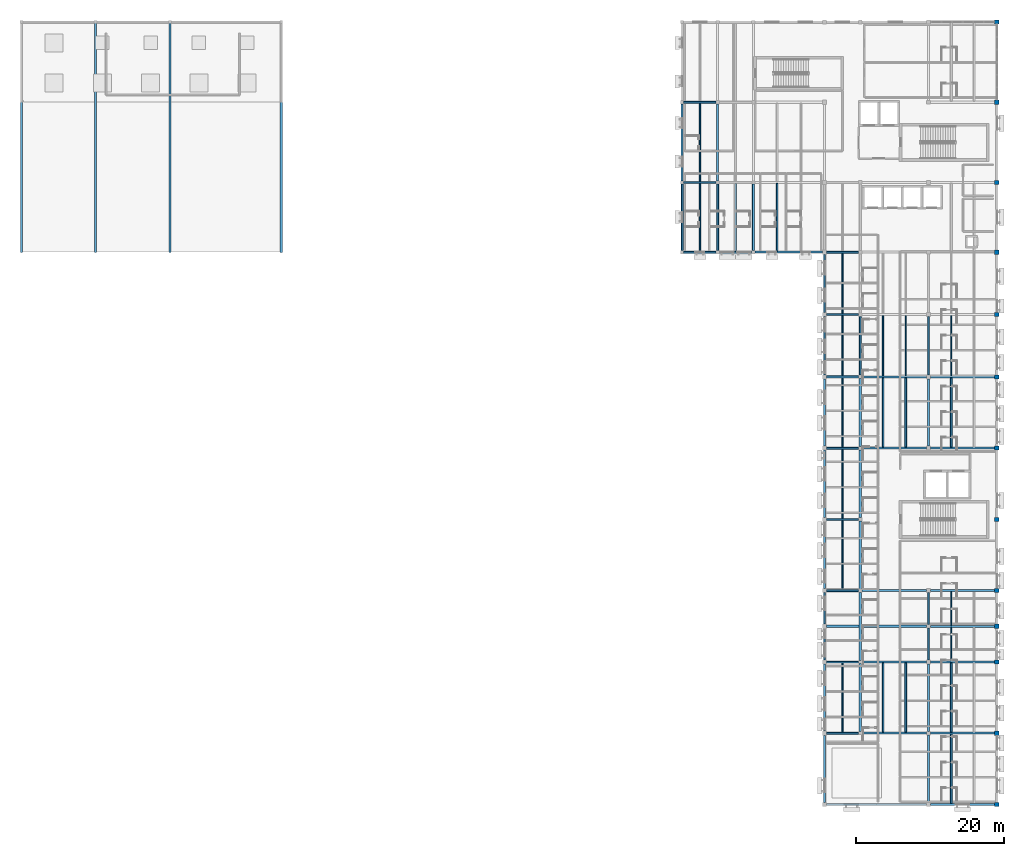
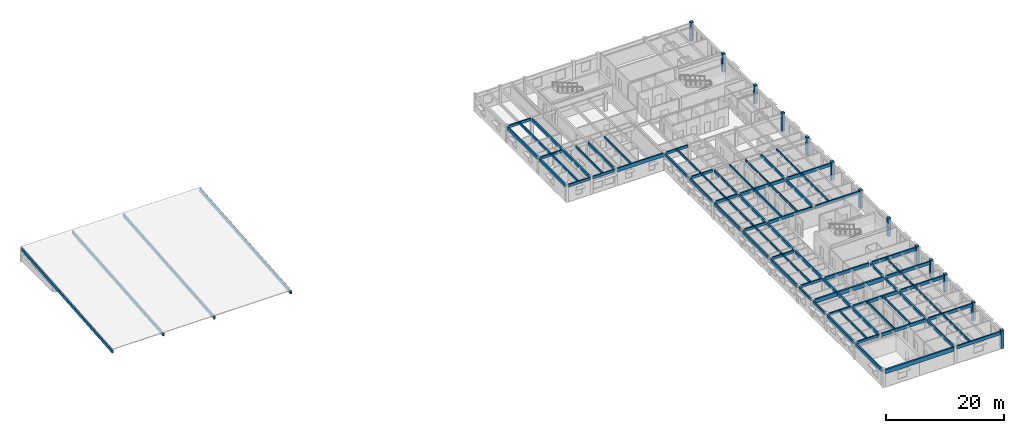
# One storey, part 3 of 31: 75 beams, 13 columns, 4 members, 1 element without a shape of its own.
"""IFC4 building model written with IfcOpenShell, lengths in metres."""

from ifc_helpers import new_model, si_unit, direction, frame, origin, origin_2d, place, context, subcontext, project, spatial, rectangle, extrude, material, material_profile, profile_set, type_object, element, aggregate, save


model = new_model("IFC4")

# Units and contexts
model_context = context("Model", 3, precision=1e-05, world=origin(), true_north=direction((0.0, 1.0)))
body_context = subcontext(model_context, "Body", "Model", "MODEL_VIEW")
ifc_project = project(units=[si_unit("LENGTHUNIT", "METRE"), si_unit("AREAUNIT", "SQUARE_METRE"), si_unit("VOLUMEUNIT", "CUBIC_METRE"), si_unit("PLANEANGLEUNIT", "RADIAN"), si_unit("MASSUNIT", "GRAM", prefix="KILO")], contexts=[model_context])

# Site, building, storey
site_placement = place(None, origin())
site = spatial("IfcSite", under=ifc_project, at=site_placement, CompositionType="ELEMENT")
building_placement = place(site_placement, origin())
building = spatial("IfcBuilding", under=site, at=building_placement, Name="Veldera Park Congress Hotel", CompositionType="ELEMENT")
storey_placement = place(building_placement, frame((0.0, 0.0, 20.0)))
storey = spatial("IfcBuildingStorey", under=building, at=storey_placement, Name="L04", CompositionType="ELEMENT", Elevation=20.0)

# Columns
ifc_material_1 = material(Name="Glulam GL28h (NDS 24F-V4)", Category="wood")
ifc_material_profile_1 = material_profile(ifc_material_1, rectangle(XDim=0.56005859375, YDim=0.56005859375, at=origin_2d()), Name="GL28h 560x560")
ifc_profile_set_1 = profile_set([ifc_material_profile_1], Name="Glulam GL28h (NDS 24F-V4)")
column_type = type_object("IfcColumnType", Name="COL-GL52E", PredefinedType="COLUMN", material=ifc_profile_set_1)
for number, where, z_axis, x_axis, name in (
    (1, (84.0, -47.39990234375, 0.0), (0.0, 0.0, 1.0), (1.0, 0.0, 0.0), "L04 Column COL-GL52E (84.0,-47.4)"),
    (2, (84.0, -37.800048828125, 0.0), (0.0, 0.0, 1.0), (1.0, 0.0, 0.0), "L04 Column COL-GL52E (84.0,-37.8)"),
    (3, (84.0, -28.199951171875, 0.0), (0.0, 0.0, 1.0), (1.0, 0.0, 0.0), "L04 Column COL-GL52E (84.0,-28.2)"),
    (4, (84.0, -23.39990234375, 0.0), (0.0, 0.0, 1.0), (1.0, 0.0, 0.0), "L04 Column COL-GL52E (84.0,-23.4)"),
    (5, (84.0, -18.60009765625, 0.0), (0.0, 0.0, 1.0), (1.0, 0.0, 0.0), "L04 Column COL-GL52E (84.0,-18.6)"),
    (6, (84.0, -9.0, 0.0), (0.0, 0.0, 1.0), (1.0, 0.0, 0.0), "L04 Column COL-GL52E (84.0,-9.0)"),
    (7, (84.0, 0.60009765625, 0.0), (0.0, 0.0, 1.0), (1.0, 0.0, 0.0), "L04 Column COL-GL52E (84.0,0.6)"),
    (8, (84.0, 10.199951171875, 0.0), (0.0, 0.0, 1.0), (1.0, 0.0, 0.0), "L04 Column COL-GL52E (84.0,10.2)"),
    (9, (84.0, 18.60009765625, 0.0), (0.0, 0.0, 1.0), (1.0, 0.0, 0.0), "L04 Column COL-GL52E (84.0,18.6)"),
    (10, (84.0, 27.0, 0.0), (0.0, 0.0, 1.0), (1.0, 0.0, 0.0), "L04 Column COL-GL52E (84.0,27.0)"),
    (11, (84.0, 36.39990234375, 0.0), (0.0, 0.0, 1.0), (1.0, 0.0, 0.0), "L04 Column COL-GL52E (84.0,36.4)"),
    (12, (84.0, 47.199951171875, 0.0), (0.0, 0.0, 1.0), (1.0, 0.0, 0.0), "L04 Column COL-GL52E (84.0,47.2)"),
    (13, (84.0, 58.0, 0.0), (0.0, 0.0, 1.0), (1.0, 0.0, 0.0), "L04 Column COL-GL52E (84.0,58.0)"),
):
    element("IfcColumn", number, at=place(storey_placement, frame(where, z_axis=z_axis, x_axis=x_axis)), inside=storey, type_object=column_type, Name=name, PredefinedType="COLUMN", context=body_context, shape_type="SweptSolid", body=[
        extrude(rectangle(XDim=0.56005859375, YDim=0.56005859375, at=origin_2d()), origin(), (0.0, 0.0, 1.0), 3.800048828125),
    ])

# Beams
ifc_material_profile_2 = material_profile(ifc_material_1, rectangle(XDim=0.239990234375, YDim=0.5400390625, at=origin_2d()), Name="GL28h 240x540")
ifc_profile_set_2 = profile_set([ifc_material_profile_2], Name="Glulam GL28h (NDS 24F-V4)")
beam_type_1 = type_object("IfcBeamType", Name="BM-GL540", PredefinedType="BEAM", material=ifc_profile_set_2)
for number, where, z_axis, x_axis, name in (
    (14, (61.080078125, -37.800048828125, 3.280029296875), (1.0, 0.0, 0.0), (0.0, 1.0, 0.0), "L04 Girder BM-GL540 1255"),
    (15, (61.080078125, -28.199951171875, 3.280029296875), (1.0, 0.0, 0.0), (0.0, 1.0, 0.0), "L04 Girder BM-GL540 1258"),
):
    element("IfcBeam", number, at=place(storey_placement, frame(where, z_axis=z_axis, x_axis=x_axis)), inside=storey, type_object=beam_type_1, Name=name, PredefinedType="BEAM", context=body_context, shape_type="SweptSolid", body=[
        extrude(rectangle(XDim=0.239990234375, YDim=0.5400390625, at=origin_2d()), origin(), (0.0, 0.0, 1.0), 4.309814453125),
    ])
for number, where, z_axis, x_axis, name in (
    (16, (61.080078125, -18.60009765625, 3.280029296875), (1.0, 0.0, 0.0), (0.0, 1.0, 0.0), "L04 Girder BM-GL540 1263"),
    (17, (61.080078125, -9.0, 3.280029296875), (1.0, 0.0, 0.0), (0.0, 1.0, 0.0), "L04 Girder BM-GL540 1266"),
    (18, (61.080078125, 0.60009765625, 3.280029296875), (1.0, 0.0, 0.0), (0.0, 1.0, 0.0), "L04 Girder BM-GL540 1267"),
    (19, (61.080078125, 10.199951171875, 3.280029296875), (1.0, 0.0, 0.0), (0.0, 1.0, 0.0), "L04 Girder BM-GL540 1270"),
    (20, (61.080078125, 18.60009765625, 3.280029296875), (1.0, 0.0, 0.0), (0.0, 1.0, 0.0), "L04 Girder BM-GL540 1273"),
):
    element("IfcBeam", number, at=place(storey_placement, frame(where, z_axis=z_axis, x_axis=x_axis)), inside=storey, type_object=beam_type_1, Name=name, PredefinedType="BEAM", context=body_context, shape_type="SweptSolid", body=[
        extrude(rectangle(XDim=0.239990234375, YDim=0.5400390625, at=origin_2d()), origin(), (0.0, 0.0, 1.0), 4.280029296875),
    ])
for number, where, z_axis, x_axis, name in (
    (21, (41.824951171875, 27.0, 3.280029296875), (1.0, 0.0, 0.0), (0.0, 1.0, 0.0), "L04 Girder BM-GL540 1276"),
    (22, (46.625, 27.0, 3.280029296875), (1.0, 0.0, 0.0), (0.0, 1.0, 0.0), "L04 Girder BM-GL540 1277"),
):
    element("IfcBeam", number, at=place(storey_placement, frame(where, z_axis=z_axis, x_axis=x_axis)), inside=storey, type_object=beam_type_1, Name=name, PredefinedType="BEAM", context=body_context, shape_type="SweptSolid", body=[
        extrude(rectangle(XDim=0.239990234375, YDim=0.5400390625, at=origin_2d()), origin(), (0.0, 0.0, 1.0), 4.35009765625),
    ])
beam_1_placement = place(storey_placement, frame((61.080078125, 27.0, 3.280029296875), z_axis=(1.0, 0.0, 0.0), x_axis=(0.0, 1.0, 0.0)))
element("IfcBeam", 23, at=beam_1_placement, inside=storey, type_object=beam_type_1, Name="L04 Girder BM-GL540 1279", PredefinedType="BEAM", context=body_context, shape_type="SweptSolid", body=[
    extrude(rectangle(XDim=0.239990234375, YDim=0.5400390625, at=origin_2d()), origin(), (0.0, 0.0, 1.0), 4.280029296875),
])
for number, where, z_axis, x_axis, name in (
    (24, (41.81005859375, 36.39990234375, 3.280029296875), (1.0, 0.0, 0.0), (0.0, 1.0, 0.0), "L04 Girder BM-GL540 1282"),
    (25, (41.81005859375, 47.199951171875, 3.280029296875), (1.0, 0.0, 0.0), (0.0, 1.0, 0.0), "L04 Girder BM-GL540 1288"),
):
    element("IfcBeam", number, at=place(storey_placement, frame(where, z_axis=z_axis, x_axis=x_axis)), inside=storey, type_object=beam_type_1, Name=name, PredefinedType="BEAM", context=body_context, shape_type="SweptSolid", body=[
        extrude(rectangle(XDim=0.239990234375, YDim=0.5400390625, at=origin_2d()), origin(), (0.0, 0.0, 1.0), 4.3798828125),
    ])
beam_2_placement = place(storey_placement, frame((60.800048828125, -27.919921875, 3.280029296875), z_axis=(0.0, 1.0, 0.0), x_axis=(-1.0, 0.0, 0.0)))
element("IfcBeam", 26, at=beam_2_placement, inside=storey, type_object=beam_type_1, Name="L04 Girder BM-GL540 1309", PredefinedType="BEAM", context=body_context, shape_type="SweptSolid", body=[
    extrude(rectangle(XDim=0.239990234375, YDim=0.5400390625, at=origin_2d()), origin(), (0.0, 0.0, 1.0), 4.239990234375),
])
beam_3_placement = place(storey_placement, frame((60.800048828125, -23.1201171875, 3.280029296875), z_axis=(0.0, 1.0, 0.0), x_axis=(-1.0, 0.0, 0.0)))
element("IfcBeam", 27, at=beam_3_placement, inside=storey, type_object=beam_type_1, Name="L04 Girder BM-GL540 1310", PredefinedType="BEAM", context=body_context, shape_type="SweptSolid", body=[
    extrude(rectangle(XDim=0.239990234375, YDim=0.5400390625, at=origin_2d()), origin(), (0.0, 0.0, 1.0), 4.240234375),
])
for number, where, z_axis, x_axis, name in (
    (28, (60.800048828125, 10.47998046875, 3.280029296875), (0.0, 1.0, 0.0), (-1.0, 0.0, 0.0), "L04 Girder BM-GL540 1314"),
    (29, (60.800048828125, 18.8798828125, 3.280029296875), (0.0, 1.0, 0.0), (-1.0, 0.0, 0.0), "L04 Girder BM-GL540 1315"),
):
    element("IfcBeam", number, at=place(storey_placement, frame(where, z_axis=z_axis, x_axis=x_axis)), inside=storey, type_object=beam_type_1, Name=name, PredefinedType="BEAM", context=body_context, shape_type="SweptSolid", body=[
        extrude(rectangle(XDim=0.239990234375, YDim=0.5400390625, at=origin_2d()), origin(), (0.0, 0.0, 1.0), 7.840087890625),
    ])
beam_4_placement = place(storey_placement, frame((65.60009765625, 10.43994140625, 3.280029296875), z_axis=(0.0, 1.0, 0.0), x_axis=(-1.0, 0.0, 0.0)))
element("IfcBeam", 30, at=beam_4_placement, inside=storey, type_object=beam_type_1, Name="L04 Girder BM-GL540 1323", PredefinedType="BEAM", context=body_context, shape_type="SweptSolid", body=[
    extrude(rectangle(XDim=0.239990234375, YDim=0.5400390625, at=origin_2d()), origin(), (0.0, 0.0, 1.0), 7.920166015625),
])
beam_5_placement = place(storey_placement, frame((74.800048828125, -27.93994140625, 3.280029296875), z_axis=(0.0, 1.0, 0.0), x_axis=(-1.0, 0.0, 0.0)))
element("IfcBeam", 31, at=beam_5_placement, inside=storey, type_object=beam_type_1, Name="L04 Girder BM-GL540 1328", PredefinedType="BEAM", context=body_context, shape_type="SweptSolid", body=[
    extrude(rectangle(XDim=0.239990234375, YDim=0.5400390625, at=origin_2d()), origin(), (0.0, 0.0, 1.0), 4.280029296875),
])
beam_6_placement = place(storey_placement, frame((74.800048828125, -23.139892578125, 3.280029296875), z_axis=(0.0, 1.0, 0.0), x_axis=(-1.0, 0.0, 0.0)))
element("IfcBeam", 32, at=beam_6_placement, inside=storey, type_object=beam_type_1, Name="L04 Girder BM-GL540 1329", PredefinedType="BEAM", context=body_context, shape_type="SweptSolid", body=[
    extrude(rectangle(XDim=0.239990234375, YDim=0.5400390625, at=origin_2d()), origin(), (0.0, 0.0, 1.0), 4.27978515625),
])
beam_7_placement = place(storey_placement, frame((74.800048828125, 10.4599609375, 3.280029296875), z_axis=(0.0, 1.0, 0.0), x_axis=(-1.0, 0.0, 0.0)))
element("IfcBeam", 33, at=beam_7_placement, inside=storey, type_object=beam_type_1, Name="L04 Girder BM-GL540 1331", PredefinedType="BEAM", context=body_context, shape_type="SweptSolid", body=[
    extrude(rectangle(XDim=0.239990234375, YDim=0.5400390625, at=origin_2d()), origin(), (0.0, 0.0, 1.0), 7.880126953125),
])
ifc_material_profile_3 = material_profile(ifc_material_1, rectangle(XDim=0.264892578125, YDim=0.6201171875, at=origin_2d()), Name="GL28h 265x620")
ifc_profile_set_3 = profile_set([ifc_material_profile_3], Name="Glulam GL28h (NDS 24F-V4)")
beam_type_2 = type_object("IfcBeamType", Name="BM-GL620", PredefinedType="BEAM", material=ifc_profile_set_3)
for number, where, z_axis, x_axis, name in (
    (34, (41.60009765625, 27.22509765625, 3.239990234375), (0.0, 1.0, 0.0), (-1.0, 0.0, 0.0), "L04 Girder BM-GL620 1298"),
    (35, (46.39990234375, 27.22509765625, 3.239990234375), (0.0, 1.0, 0.0), (-1.0, 0.0, 0.0), "L04 Girder BM-GL620 1301"),
    (36, (51.199951171875, 27.22509765625, 3.239990234375), (0.0, 1.0, 0.0), (-1.0, 0.0, 0.0), "L04 Girder BM-GL620 1304"),
):
    element("IfcBeam", number, at=place(storey_placement, frame(where, z_axis=z_axis, x_axis=x_axis)), inside=storey, type_object=beam_type_2, Name=name, PredefinedType="BEAM", context=body_context, shape_type="SweptSolid", body=[
        extrude(rectangle(XDim=0.264892578125, YDim=0.6201171875, at=origin_2d()), origin(), (0.0, 0.0, 1.0), 8.96484375),
    ])
ifc_material_profile_4 = material_profile(ifc_material_1, rectangle(XDim=0.280029296875, YDim=0.639892578125, at=origin_2d()), Name="GL28h 280x640")
ifc_profile_set_4 = profile_set([ifc_material_profile_4], Name="Glulam GL28h (NDS 24F-V4)")
beam_type_3 = type_object("IfcBeamType", Name="BM-GL640", PredefinedType="BEAM", material=ifc_profile_set_4)
beam_8_placement = place(storey_placement, frame((75.06005859375, -47.39990234375, 3.22998046875), z_axis=(1.0, 0.0, 0.0), x_axis=(0.0, 1.0, 0.0)))
element("IfcBeam", 37, at=beam_8_placement, inside=storey, type_object=beam_type_3, Name="L04 Girder BM-GL640 1254", PredefinedType="BEAM", context=body_context, shape_type="SweptSolid", body=[
    extrude(rectangle(XDim=0.280029296875, YDim=0.639892578125, at=origin_2d()), origin(), (0.0, 0.0, 1.0), 8.659912109375),
])
beam_9_placement = place(storey_placement, frame((65.81005859375, -37.800048828125, 3.22998046875), z_axis=(1.0, 0.0, 0.0), x_axis=(0.0, 1.0, 0.0)))
element("IfcBeam", 38, at=beam_9_placement, inside=storey, type_object=beam_type_3, Name="L04 Girder BM-GL640 1256", PredefinedType="BEAM", context=body_context, shape_type="SweptSolid", body=[
    extrude(rectangle(XDim=0.280029296875, YDim=0.639892578125, at=origin_2d()), origin(), (0.0, 0.0, 1.0), 8.72998046875),
])
beam_10_placement = place(storey_placement, frame((75.06005859375, -37.800048828125, 3.22998046875), z_axis=(1.0, 0.0, 0.0), x_axis=(0.0, 1.0, 0.0)))
element("IfcBeam", 39, at=beam_10_placement, inside=storey, type_object=beam_type_3, Name="L04 Girder BM-GL640 1257", PredefinedType="BEAM", context=body_context, shape_type="SweptSolid", body=[
    extrude(rectangle(XDim=0.280029296875, YDim=0.639892578125, at=origin_2d()), origin(), (0.0, 0.0, 1.0), 8.659912109375),
])
beam_11_placement = place(storey_placement, frame((65.81005859375, -28.199951171875, 3.22998046875), z_axis=(1.0, 0.0, 0.0), x_axis=(0.0, 1.0, 0.0)))
element("IfcBeam", 40, at=beam_11_placement, inside=storey, type_object=beam_type_3, Name="L04 Girder BM-GL640 1259", PredefinedType="BEAM", context=body_context, shape_type="SweptSolid", body=[
    extrude(rectangle(XDim=0.280029296875, YDim=0.639892578125, at=origin_2d()), origin(), (0.0, 0.0, 1.0), 8.72998046875),
])
for number, where, z_axis, x_axis, name in (
    (41, (75.06005859375, -28.199951171875, 3.22998046875), (1.0, 0.0, 0.0), (0.0, 1.0, 0.0), "L04 Girder BM-GL640 1260"),
    (42, (75.06005859375, -23.39990234375, 3.22998046875), (1.0, 0.0, 0.0), (0.0, 1.0, 0.0), "L04 Girder BM-GL640 1262"),
):
    element("IfcBeam", number, at=place(storey_placement, frame(where, z_axis=z_axis, x_axis=x_axis)), inside=storey, type_object=beam_type_3, Name=name, PredefinedType="BEAM", context=body_context, shape_type="SweptSolid", body=[
        extrude(rectangle(XDim=0.280029296875, YDim=0.639892578125, at=origin_2d()), origin(), (0.0, 0.0, 1.0), 8.659912109375),
    ])
beam_12_placement = place(storey_placement, frame((65.840087890625, -18.60009765625, 3.22998046875), z_axis=(1.0, 0.0, 0.0), x_axis=(0.0, 1.0, 0.0)))
element("IfcBeam", 43, at=beam_12_placement, inside=storey, type_object=beam_type_3, Name="L04 Girder BM-GL640 1264", PredefinedType="BEAM", context=body_context, shape_type="SweptSolid", body=[
    extrude(rectangle(XDim=0.280029296875, YDim=0.639892578125, at=origin_2d()), origin(), (0.0, 0.0, 1.0), 8.699951171875),
])
beam_13_placement = place(storey_placement, frame((75.06005859375, -18.60009765625, 3.22998046875), z_axis=(1.0, 0.0, 0.0), x_axis=(0.0, 1.0, 0.0)))
element("IfcBeam", 44, at=beam_13_placement, inside=storey, type_object=beam_type_3, Name="L04 Girder BM-GL640 1265", PredefinedType="BEAM", context=body_context, shape_type="SweptSolid", body=[
    extrude(rectangle(XDim=0.280029296875, YDim=0.639892578125, at=origin_2d()), origin(), (0.0, 0.0, 1.0), 8.659912109375),
])
beam_14_placement = place(storey_placement, frame((65.840087890625, 0.60009765625, 3.22998046875), z_axis=(1.0, 0.0, 0.0), x_axis=(0.0, 1.0, 0.0)))
element("IfcBeam", 45, at=beam_14_placement, inside=storey, type_object=beam_type_3, Name="L04 Girder BM-GL640 1268", PredefinedType="BEAM", context=body_context, shape_type="SweptSolid", body=[
    extrude(rectangle(XDim=0.280029296875, YDim=0.639892578125, at=origin_2d()), origin(), (0.0, 0.0, 1.0), 8.699951171875),
])
beam_15_placement = place(storey_placement, frame((75.06005859375, 0.60009765625, 3.22998046875), z_axis=(1.0, 0.0, 0.0), x_axis=(0.0, 1.0, 0.0)))
element("IfcBeam", 46, at=beam_15_placement, inside=storey, type_object=beam_type_3, Name="L04 Girder BM-GL640 1269", PredefinedType="BEAM", context=body_context, shape_type="SweptSolid", body=[
    extrude(rectangle(XDim=0.280029296875, YDim=0.639892578125, at=origin_2d()), origin(), (0.0, 0.0, 1.0), 8.659912109375),
])
beam_16_placement = place(storey_placement, frame((65.840087890625, 10.199951171875, 3.22998046875), z_axis=(1.0, 0.0, 0.0), x_axis=(0.0, 1.0, 0.0)))
element("IfcBeam", 47, at=beam_16_placement, inside=storey, type_object=beam_type_3, Name="L04 Girder BM-GL640 1271", PredefinedType="BEAM", context=body_context, shape_type="SweptSolid", body=[
    extrude(rectangle(XDim=0.280029296875, YDim=0.639892578125, at=origin_2d()), origin(), (0.0, 0.0, 1.0), 8.699951171875),
])
beam_17_placement = place(storey_placement, frame((75.06005859375, 10.199951171875, 3.22998046875), z_axis=(1.0, 0.0, 0.0), x_axis=(0.0, 1.0, 0.0)))
element("IfcBeam", 48, at=beam_17_placement, inside=storey, type_object=beam_type_3, Name="L04 Girder BM-GL640 1272", PredefinedType="BEAM", context=body_context, shape_type="SweptSolid", body=[
    extrude(rectangle(XDim=0.280029296875, YDim=0.639892578125, at=origin_2d()), origin(), (0.0, 0.0, 1.0), 8.659912109375),
])
for number, where, z_axis, x_axis, name in (
    (49, (41.60009765625, 36.610107421875, 3.22998046875), (0.0, 1.0, 0.0), (-1.0, 0.0, 0.0), "L04 Girder BM-GL640 1299"),
    (50, (46.39990234375, 36.610107421875, 3.22998046875), (0.0, 1.0, 0.0), (-1.0, 0.0, 0.0), "L04 Girder BM-GL640 1302"),
):
    element("IfcBeam", number, at=place(storey_placement, frame(where, z_axis=z_axis, x_axis=x_axis)), inside=storey, type_object=beam_type_3, Name=name, PredefinedType="BEAM", context=body_context, shape_type="SweptSolid", body=[
        extrude(rectangle(XDim=0.280029296875, YDim=0.639892578125, at=origin_2d()), origin(), (0.0, 0.0, 1.0), 10.3798828125),
    ])
for number, where, z_axis, x_axis, name in (
    (51, (60.800048828125, -47.1201171875, 3.22998046875), (0.0, 1.0, 0.0), (-1.0, 0.0, 0.0), "L04 Girder BM-GL640 1307"),
    (52, (60.800048828125, -37.52001953125, 3.22998046875), (0.0, 1.0, 0.0), (-1.0, 0.0, 0.0), "L04 Girder BM-GL640 1308"),
    (53, (60.800048828125, -18.320068359375, 3.22998046875), (0.0, 1.0, 0.0), (-1.0, 0.0, 0.0), "L04 Girder BM-GL640 1311"),
    (54, (60.800048828125, -8.719970703125, 3.22998046875), (0.0, 1.0, 0.0), (-1.0, 0.0, 0.0), "L04 Girder BM-GL640 1312"),
    (55, (60.800048828125, 0.8798828125, 3.22998046875), (0.0, 1.0, 0.0), (-1.0, 0.0, 0.0), "L04 Girder BM-GL640 1313"),
):
    element("IfcBeam", number, at=place(storey_placement, frame(where, z_axis=z_axis, x_axis=x_axis)), inside=storey, type_object=beam_type_3, Name=name, PredefinedType="BEAM", context=body_context, shape_type="SweptSolid", body=[
        extrude(rectangle(XDim=0.280029296875, YDim=0.639892578125, at=origin_2d()), origin(), (0.0, 0.0, 1.0), 9.0400390625),
    ])
beam_18_placement = place(storey_placement, frame((65.60009765625, -37.590087890625, 3.22998046875), z_axis=(0.0, 1.0, 0.0), x_axis=(-1.0, 0.0, 0.0)))
element("IfcBeam", 56, at=beam_18_placement, inside=storey, type_object=beam_type_3, Name="L04 Girder BM-GL640 1318", PredefinedType="BEAM", context=body_context, shape_type="SweptSolid", body=[
    extrude(rectangle(XDim=0.280029296875, YDim=0.639892578125, at=origin_2d()), origin(), (0.0, 0.0, 1.0), 9.18017578125),
])
beam_19_placement = place(storey_placement, frame((65.60009765625, -27.989990234375, 3.22998046875), z_axis=(0.0, 1.0, 0.0), x_axis=(-1.0, 0.0, 0.0)))
element("IfcBeam", 57, at=beam_19_placement, inside=storey, type_object=beam_type_3, Name="L04 Girder BM-GL640 1319", PredefinedType="BEAM", context=body_context, shape_type="SweptSolid", body=[
    extrude(rectangle(XDim=0.280029296875, YDim=0.639892578125, at=origin_2d()), origin(), (0.0, 0.0, 1.0), 9.14990234375),
])
for number, where, z_axis, x_axis, name in (
    (58, (65.60009765625, -18.360107421875, 3.22998046875), (0.0, 1.0, 0.0), (-1.0, 0.0, 0.0), "L04 Girder BM-GL640 1320"),
    (59, (65.60009765625, -8.760009765625, 3.22998046875), (0.0, 1.0, 0.0), (-1.0, 0.0, 0.0), "L04 Girder BM-GL640 1321"),
):
    element("IfcBeam", number, at=place(storey_placement, frame(where, z_axis=z_axis, x_axis=x_axis)), inside=storey, type_object=beam_type_3, Name=name, PredefinedType="BEAM", context=body_context, shape_type="SweptSolid", body=[
        extrude(rectangle(XDim=0.280029296875, YDim=0.639892578125, at=origin_2d()), origin(), (0.0, 0.0, 1.0), 9.1201171875),
    ])
beam_20_placement = place(storey_placement, frame((65.60009765625, 0.840087890625, 3.22998046875), z_axis=(0.0, 1.0, 0.0), x_axis=(-1.0, 0.0, 0.0)))
element("IfcBeam", 60, at=beam_20_placement, inside=storey, type_object=beam_type_3, Name="L04 Girder BM-GL640 1322", PredefinedType="BEAM", context=body_context, shape_type="SweptSolid", body=[
    extrude(rectangle(XDim=0.280029296875, YDim=0.639892578125, at=origin_2d()), origin(), (0.0, 0.0, 1.0), 9.119873046875),
])
beam_21_placement = place(storey_placement, frame((74.800048828125, -47.139892578125, 3.22998046875), z_axis=(0.0, 1.0, 0.0), x_axis=(-1.0, 0.0, 0.0)))
element("IfcBeam", 61, at=beam_21_placement, inside=storey, type_object=beam_type_3, Name="L04 Girder BM-GL640 1326", PredefinedType="BEAM", context=body_context, shape_type="SweptSolid", body=[
    extrude(rectangle(XDim=0.280029296875, YDim=0.639892578125, at=origin_2d()), origin(), (0.0, 0.0, 1.0), 9.079833984375),
])
beam_22_placement = place(storey_placement, frame((74.800048828125, -37.5400390625, 3.22998046875), z_axis=(0.0, 1.0, 0.0), x_axis=(-1.0, 0.0, 0.0)))
element("IfcBeam", 62, at=beam_22_placement, inside=storey, type_object=beam_type_3, Name="L04 Girder BM-GL640 1327", PredefinedType="BEAM", context=body_context, shape_type="SweptSolid", body=[
    extrude(rectangle(XDim=0.280029296875, YDim=0.639892578125, at=origin_2d()), origin(), (0.0, 0.0, 1.0), 9.080078125),
])
beam_23_placement = place(storey_placement, frame((74.800048828125, 0.860107421875, 3.22998046875), z_axis=(0.0, 1.0, 0.0), x_axis=(-1.0, 0.0, 0.0)))
element("IfcBeam", 63, at=beam_23_placement, inside=storey, type_object=beam_type_3, Name="L04 Girder BM-GL640 1330", PredefinedType="BEAM", context=body_context, shape_type="SweptSolid", body=[
    extrude(rectangle(XDim=0.280029296875, YDim=0.639892578125, at=origin_2d()), origin(), (0.0, 0.0, 1.0), 9.079833984375),
])
ifc_material_profile_5 = material_profile(ifc_material_1, rectangle(XDim=0.280029296875, YDim=0.760009765625, at=origin_2d()), Name="GL28h 280x760")
ifc_profile_set_5 = profile_set([ifc_material_profile_5], Name="Glulam GL28h (NDS 24F-V4)")
beam_type_4 = type_object("IfcBeamType", Name="BM-GL760", PredefinedType="BEAM", material=ifc_profile_set_5)
beam_24_placement = place(storey_placement, frame((51.425048828125, 27.0, 3.169921875), z_axis=(1.0, 0.0, 0.0), x_axis=(0.0, 1.0, 0.0)))
element("IfcBeam", 64, at=beam_24_placement, inside=storey, type_object=beam_type_4, Name="L04 Girder BM-GL760 1278", PredefinedType="BEAM", context=body_context, shape_type="SweptSolid", body=[
    extrude(rectangle(XDim=0.280029296875, YDim=0.760009765625, at=origin_2d()), origin(), (0.0, 0.0, 1.0), 9.094970703125),
])
ifc_material_profile_6 = material_profile(ifc_material_1, rectangle(XDim=0.31494140625, YDim=0.860107421875, at=origin_2d()), Name="GL28h 315x860")
ifc_profile_set_6 = profile_set([ifc_material_profile_6], Name="Glulam GL28h (NDS 24F-V4)")
beam_type_5 = type_object("IfcBeamType", Name="BM-GL860", PredefinedType="BEAM", material=ifc_profile_set_6)
for number, where, z_axis, x_axis, name in (
    (65, (61.080078125, -47.39990234375, 3.1201171875), (1.0, 0.0, 0.0), (0.0, 1.0, 0.0), "L04 Girder BM-GL860 1253"),
    (66, (61.080078125, -23.39990234375, 3.1201171875), (1.0, 0.0, 0.0), (0.0, 1.0, 0.0), "L04 Girder BM-GL860 1261"),
):
    element("IfcBeam", number, at=place(storey_placement, frame(where, z_axis=z_axis, x_axis=x_axis)), inside=storey, type_object=beam_type_5, Name=name, PredefinedType="BEAM", context=body_context, shape_type="SweptSolid", body=[
        extrude(rectangle(XDim=0.31494140625, YDim=0.860107421875, at=origin_2d()), origin(), (0.0, 0.0, 1.0), 13.4599609375),
    ])
ifc_material_profile_7 = material_profile(ifc_material_1, rectangle(XDim=0.18994140625, YDim=0.39990234375, at=origin_2d()), Name="GL28h 190x400")
ifc_profile_set_7 = profile_set([ifc_material_profile_7], Name="Glulam GL28h (NDS 24F-V4)")
beam_type_6 = type_object("IfcBeamType", Name="JST-GL400", PredefinedType="JOIST", material=ifc_profile_set_7)
for number, where, z_axis, x_axis, name in (
    (67, (77.86669921875, -28.06005859375, 3.35009765625), (0.0, 1.0, 0.0), (-1.0, 0.0, 0.0), "L04 Floor Joist JST-GL400 1353"),
    (68, (77.86669921875, -23.260009765625, 3.35009765625), (0.0, 1.0, 0.0), (-1.0, 0.0, 0.0), "L04 Floor Joist JST-GL400 1355"),
):
    element("IfcBeam", number, at=place(storey_placement, frame(where, z_axis=z_axis, x_axis=x_axis)), inside=storey, type_object=beam_type_6, Name=name, PredefinedType="JOIST", context=body_context, shape_type="SweptSolid", body=[
        extrude(rectangle(XDim=0.18994140625, YDim=0.39990234375, at=origin_2d()), origin(), (0.0, 0.0, 1.0), 4.52001953125),
    ])
beam_25_placement = place(storey_placement, frame((63.199951171875, 10.320068359375, 3.35009765625), z_axis=(0.0, 1.0, 0.0), x_axis=(-1.0, 0.0, 0.0)))
element("IfcBeam", 69, at=beam_25_placement, inside=storey, type_object=beam_type_6, Name="L04 Floor Joist JST-GL400 1364", PredefinedType="JOIST", context=body_context, shape_type="SweptSolid", body=[
    extrude(rectangle(XDim=0.18994140625, YDim=0.39990234375, at=origin_2d()), origin(), (0.0, 0.0, 1.0), 8.159912109375),
])
for number, where, z_axis, x_axis, name in (
    (70, (68.666748046875, 10.340087890625, 3.35009765625), (0.0, 1.0, 0.0), (-1.0, 0.0, 0.0), "L04 Floor Joist JST-GL400 1365"),
    (71, (71.7333984375, 10.340087890625, 3.35009765625), (0.0, 1.0, 0.0), (-1.0, 0.0, 0.0), "L04 Floor Joist JST-GL400 1366"),
    (72, (77.86669921875, 10.340087890625, 3.35009765625), (0.0, 1.0, 0.0), (-1.0, 0.0, 0.0), "L04 Floor Joist JST-GL400 1367"),
):
    element("IfcBeam", number, at=place(storey_placement, frame(where, z_axis=z_axis, x_axis=x_axis)), inside=storey, type_object=beam_type_6, Name=name, PredefinedType="JOIST", context=body_context, shape_type="SweptSolid", body=[
        extrude(rectangle(XDim=0.18994140625, YDim=0.39990234375, at=origin_2d()), origin(), (0.0, 0.0, 1.0), 8.119873046875),
    ])
beam_26_placement = place(storey_placement, frame((63.199951171875, 18.719970703125, 3.35009765625), z_axis=(0.0, 1.0, 0.0), x_axis=(-1.0, 0.0, 0.0)))
element("IfcBeam", 73, at=beam_26_placement, inside=storey, type_object=beam_type_6, Name="L04 Floor Joist JST-GL400 1369", PredefinedType="JOIST", context=body_context, shape_type="SweptSolid", body=[
    extrude(rectangle(XDim=0.18994140625, YDim=0.39990234375, at=origin_2d()), origin(), (0.0, 0.0, 1.0), 8.159912109375),
])
ifc_material_profile_8 = material_profile(ifc_material_1, rectangle(XDim=0.215087890625, YDim=0.449951171875, at=origin_2d()), Name="GL28h 215x450")
ifc_profile_set_8 = profile_set([ifc_material_profile_8], Name="Glulam GL28h (NDS 24F-V4)")
beam_type_7 = type_object("IfcBeamType", Name="JST-GL450", PredefinedType="JOIST", material=ifc_profile_set_8)
beam_27_placement = place(storey_placement, frame((77.86669921875, -47.260009765625, 3.324951171875), z_axis=(0.0, 1.0, 0.0), x_axis=(-1.0, 0.0, 0.0)))
element("IfcBeam", 74, at=beam_27_placement, inside=storey, type_object=beam_type_7, Name="L04 Floor Joist JST-GL450 1346", PredefinedType="JOIST", context=body_context, shape_type="SweptSolid", body=[
    extrude(rectangle(XDim=0.215087890625, YDim=0.449951171875, at=origin_2d()), origin(), (0.0, 0.0, 1.0), 9.320068359375),
])
beam_28_placement = place(storey_placement, frame((63.199951171875, -37.679931640625, 3.324951171875), z_axis=(0.0, 1.0, 0.0), x_axis=(-1.0, 0.0, 0.0)))
element("IfcBeam", 75, at=beam_28_placement, inside=storey, type_object=beam_type_7, Name="L04 Floor Joist JST-GL450 1348", PredefinedType="JOIST", context=body_context, shape_type="SweptSolid", body=[
    extrude(rectangle(XDim=0.215087890625, YDim=0.449951171875, at=origin_2d()), origin(), (0.0, 0.0, 1.0), 9.35986328125),
])
for number, where, z_axis, x_axis, name in (
    (76, (68.666748046875, -37.659912109375, 3.324951171875), (0.0, 1.0, 0.0), (-1.0, 0.0, 0.0), "L04 Floor Joist JST-GL450 1349"),
    (77, (71.7333984375, -37.659912109375, 3.324951171875), (0.0, 1.0, 0.0), (-1.0, 0.0, 0.0), "L04 Floor Joist JST-GL450 1350"),
    (78, (77.86669921875, -37.659912109375, 3.324951171875), (0.0, 1.0, 0.0), (-1.0, 0.0, 0.0), "L04 Floor Joist JST-GL450 1351"),
):
    element("IfcBeam", number, at=place(storey_placement, frame(where, z_axis=z_axis, x_axis=x_axis)), inside=storey, type_object=beam_type_7, Name=name, PredefinedType="JOIST", context=body_context, shape_type="SweptSolid", body=[
        extrude(rectangle(XDim=0.215087890625, YDim=0.449951171875, at=origin_2d()), origin(), (0.0, 0.0, 1.0), 9.31982421875),
    ])
for number, where, z_axis, x_axis, name in (
    (79, (63.199951171875, -18.47998046875, 3.324951171875), (0.0, 1.0, 0.0), (-1.0, 0.0, 0.0), "L04 Floor Joist JST-GL450 1357"),
    (80, (63.199951171875, -8.8798828125, 3.324951171875), (0.0, 1.0, 0.0), (-1.0, 0.0, 0.0), "L04 Floor Joist JST-GL450 1358"),
):
    element("IfcBeam", number, at=place(storey_placement, frame(where, z_axis=z_axis, x_axis=x_axis)), inside=storey, type_object=beam_type_7, Name=name, PredefinedType="JOIST", context=body_context, shape_type="SweptSolid", body=[
        extrude(rectangle(XDim=0.215087890625, YDim=0.449951171875, at=origin_2d()), origin(), (0.0, 0.0, 1.0), 9.35986328125),
    ])
beam_29_placement = place(storey_placement, frame((63.199951171875, 0.719970703125, 3.324951171875), z_axis=(0.0, 1.0, 0.0), x_axis=(-1.0, 0.0, 0.0)))
element("IfcBeam", 81, at=beam_29_placement, inside=storey, type_object=beam_type_7, Name="L04 Floor Joist JST-GL450 1359", PredefinedType="JOIST", context=body_context, shape_type="SweptSolid", body=[
    extrude(rectangle(XDim=0.215087890625, YDim=0.449951171875, at=origin_2d()), origin(), (0.0, 0.0, 1.0), 9.360107421875),
])
for number, where, z_axis, x_axis, name in (
    (82, (68.666748046875, 0.739990234375, 3.324951171875), (0.0, 1.0, 0.0), (-1.0, 0.0, 0.0), "L04 Floor Joist JST-GL450 1360"),
    (83, (71.7333984375, 0.739990234375, 3.324951171875), (0.0, 1.0, 0.0), (-1.0, 0.0, 0.0), "L04 Floor Joist JST-GL450 1361"),
    (84, (77.86669921875, 0.739990234375, 3.324951171875), (0.0, 1.0, 0.0), (-1.0, 0.0, 0.0), "L04 Floor Joist JST-GL450 1362"),
):
    element("IfcBeam", number, at=place(storey_placement, frame(where, z_axis=z_axis, x_axis=x_axis)), inside=storey, type_object=beam_type_7, Name=name, PredefinedType="JOIST", context=body_context, shape_type="SweptSolid", body=[
        extrude(rectangle(XDim=0.215087890625, YDim=0.449951171875, at=origin_2d()), origin(), (0.0, 0.0, 1.0), 9.320068359375),
    ])
for number, where, z_axis, x_axis, name in (
    (85, (44.0, 27.1201171875, 3.324951171875), (0.0, 1.0, 0.0), (-1.0, 0.0, 0.0), "L04 Floor Joist JST-GL450 1374"),
    (86, (48.800048828125, 27.1201171875, 3.324951171875), (0.0, 1.0, 0.0), (-1.0, 0.0, 0.0), "L04 Floor Joist JST-GL450 1375"),
):
    element("IfcBeam", number, at=place(storey_placement, frame(where, z_axis=z_axis, x_axis=x_axis)), inside=storey, type_object=beam_type_7, Name=name, PredefinedType="JOIST", context=body_context, shape_type="SweptSolid", body=[
        extrude(rectangle(XDim=0.215087890625, YDim=0.449951171875, at=origin_2d()), origin(), (0.0, 0.0, 1.0), 9.159912109375),
    ])
beam_30_placement = place(storey_placement, frame((54.39990234375, 27.139892578125, 3.324951171875), z_axis=(0.0, 1.0, 0.0), x_axis=(-1.0, 0.0, 0.0)))
element("IfcBeam", 87, at=beam_30_placement, inside=storey, type_object=beam_type_7, Name="L04 Floor Joist JST-GL450 1376", PredefinedType="JOIST", context=body_context, shape_type="SweptSolid", body=[
    extrude(rectangle(XDim=0.215087890625, YDim=0.449951171875, at=origin_2d()), origin(), (0.0, 0.0, 1.0), 9.1201171875),
])
ifc_material_profile_9 = material_profile(ifc_material_1, rectangle(XDim=0.215087890625, YDim=0.4951171875, at=origin_2d()), Name="GL28h 215x495")
ifc_profile_set_9 = profile_set([ifc_material_profile_9], Name="Glulam GL28h (NDS 24F-V4)")
beam_type_8 = type_object("IfcBeamType", Name="JST-GL495", PredefinedType="JOIST", material=ifc_profile_set_9)
beam_31_placement = place(storey_placement, frame((44.0, 36.52001953125, 3.302490234375), z_axis=(0.0, 1.0, 0.0), x_axis=(-1.0, 0.0, 0.0)))
element("IfcBeam", 88, at=beam_31_placement, inside=storey, type_object=beam_type_8, Name="L04 Floor Joist JST-GL495 1381", PredefinedType="JOIST", context=body_context, shape_type="SweptSolid", body=[
    extrude(rectangle(XDim=0.215087890625, YDim=0.4951171875, at=origin_2d()), origin(), (0.0, 0.0, 1.0), 10.56005859375),
])

# Roof, members
ifc_material_2 = material(Name="Cross-laminated timber CLT V2M1.1", Category="wood")
roof_type = type_object("IfcRoofType", Name="ROOF-SHD", PredefinedType="SHED_ROOF", material=ifc_material_2)
roof_placement = place(storey_placement, origin())
roof = element("IfcRoof", 89, at=roof_placement, inside=storey, type_object=roof_type, Name="Podium Conservatory Sloped Timber Roof", PredefinedType="SHED_ROOF")
ifc_material_profile_10 = material_profile(ifc_material_1, rectangle(XDim=0.280029296875, YDim=0.639892578125, at=origin_2d()), Name="GL28h 280x640")
ifc_profile_set_10 = profile_set([ifc_material_profile_10], Name="Glulam GL28h (NDS 24F-V4)")
member_type = type_object("IfcMemberType", Name="RAF-GL640", PredefinedType="RAFTER", material=ifc_profile_set_10)
member_1_placement = place(storey_placement, frame((-47.39990234375, 27.0, 0.10009765625), z_axis=(0.0, 0.996634391203, 0.081974936852), x_axis=(-1.0, 0.0, 0.0)))
member_1 = element("IfcMember", 90, at=member_1_placement, type_object=member_type, Name="Conservatory Roof Rafter 47", PredefinedType="RAFTER", context=body_context, shape_type="SweptSolid", body=[
    extrude(rectangle(XDim=0.280029296875, YDim=0.639892578125, at=origin_2d()), origin(), (0.0, 0.0, 1.0), 31.104736328125),
])
member_2_placement = place(storey_placement, frame((-37.39990234375, 27.0, 0.10009765625), z_axis=(0.0, 0.996634391203, 0.081974936852), x_axis=(-1.0, 0.0, 0.0)))
member_2 = element("IfcMember", 91, at=member_2_placement, type_object=member_type, Name="Conservatory Roof Rafter 37", PredefinedType="RAFTER", context=body_context, shape_type="SweptSolid", body=[
    extrude(rectangle(XDim=0.280029296875, YDim=0.639892578125, at=origin_2d()), origin(), (0.0, 0.0, 1.0), 31.104736328125),
])
member_3_placement = place(storey_placement, frame((-27.39990234375, 27.0, 0.10009765625), z_axis=(0.0, 0.996634391203, 0.081974936852), x_axis=(-1.0, 0.0, 0.0)))
member_3 = element("IfcMember", 92, at=member_3_placement, type_object=member_type, Name="Conservatory Roof Rafter 27", PredefinedType="RAFTER", context=body_context, shape_type="SweptSolid", body=[
    extrude(rectangle(XDim=0.280029296875, YDim=0.639892578125, at=origin_2d()), origin(), (0.0, 0.0, 1.0), 31.104736328125),
])
member_4_placement = place(storey_placement, frame((-12.39990234375, 27.0, 0.10009765625), z_axis=(0.0, 0.996634391203, 0.081974936852), x_axis=(-1.0, 0.0, 0.0)))
member_4 = element("IfcMember", 93, at=member_4_placement, type_object=member_type, Name="Conservatory Roof Rafter 12", PredefinedType="RAFTER", context=body_context, shape_type="SweptSolid", body=[
    extrude(rectangle(XDim=0.280029296875, YDim=0.639892578125, at=origin_2d()), origin(), (0.0, 0.0, 1.0), 31.104736328125),
])
aggregate(roof, [member_1, member_2, member_3, member_4])

save(model, "model.ifc")
